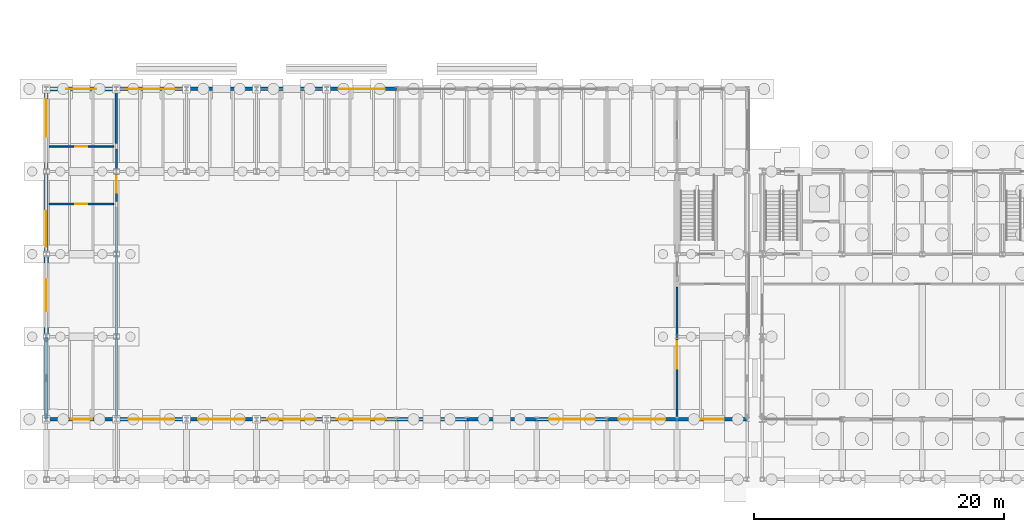
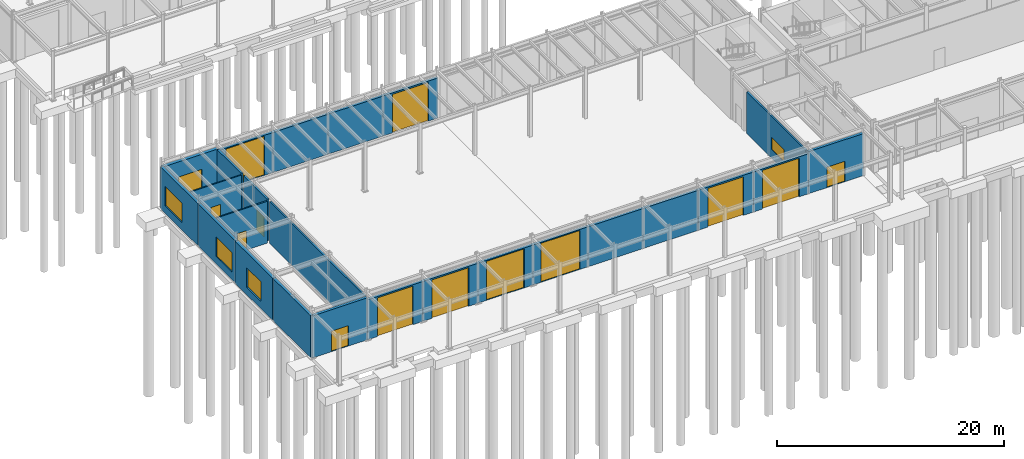
# One storey, part 66 of 82: 25 walls, 13 doors, 5 windows, 18 openings.
"""IFC4 building model written with IfcOpenShell, lengths in metres."""

from ifc_helpers import new_model, si_unit, direction, frame, frame_2d, origin, place, context, subcontext, project, spatial, rectangle, extrude, material, layer, layer_set, type_object, element, fill, save


model = new_model("IFC4")

# Units and contexts
model_context = context("Model", 3, precision=1e-05, world=origin(), true_north=direction((0.0, 1.0)))
body_context = subcontext(model_context, "Body", "Model", "MODEL_VIEW")
ifc_project = project(units=[si_unit("LENGTHUNIT", "METRE"), si_unit("AREAUNIT", "SQUARE_METRE"), si_unit("VOLUMEUNIT", "CUBIC_METRE"), si_unit("PLANEANGLEUNIT", "RADIAN"), si_unit("MASSUNIT", "GRAM", prefix="KILO")], contexts=[model_context])

# Site, building, storey
site_placement = place(None, origin())
site = spatial("IfcSite", under=ifc_project, at=site_placement, CompositionType="ELEMENT")
building_placement = place(site_placement, origin())
building = spatial("IfcBuilding", under=site, at=building_placement, Name="Trelmorton Wharf Fire Station", CompositionType="ELEMENT")
storey_placement = place(building_placement, origin())
storey = spatial("IfcBuildingStorey", under=building, at=storey_placement, Name="L00", CompositionType="ELEMENT", Elevation=0.0)

# Wall, opening, window
ifc_material_1 = material(Name="Precast concrete 45 MPa", Category="concrete")
ifc_layer_1 = layer(ifc_material_1, 0.25)
ifc_layer_set_1 = layer_set([ifc_layer_1], Name="Precast concrete 45 MPa")
wall_type_1 = type_object("IfcWallType", Name="EW_PREC_250", PredefinedType="SOLIDWALL", material=ifc_layer_set_1)
wall_1_placement = place(storey_placement, frame((0.800048828125, 21.0048828125, 0.0), z_axis=(0.0, 0.0, 1.0), x_axis=(0.0, 1.0, 0.0)))
wall_1 = element("IfcWall", 1, at=wall_1_placement, inside=storey, type_object=wall_type_1, Name="EW-V1-L00-0025", PredefinedType="SOLIDWALL", context=body_context, shape_type="SweptSolid", body=[
    extrude(rectangle(XDim=6.590087890625, YDim=0.25, at=frame_2d((3.294921875, 0.0))), origin(), (0.0, 0.0, 1.0), 4.52001953125),
])
opening_1_placement = place(wall_1_placement, frame((0.58740234375, 0.0, 0.800048828125)))
opening_1 = element("IfcOpeningElement", 2, at=opening_1_placement, cuts=wall_1, Name="Opening W04", PredefinedType="OPENING", context=body_context, shape_type="SweptSolid", body=[
    extrude(rectangle(XDim=2.85009765625, YDim=2.10009765625, at=frame_2d((1.425048828125, 1.050048828125))), frame((0.0, 0.135009765625, 0.0), z_axis=(0.0, -1.0, 0.0), x_axis=(1.0, 0.0, 0.0)), (0.0, 0.0, 1.0), 0.27001953125),
])
ifc_material_2 = material(Name="Tempered low-E double glazing", Category="glass")
window_type_1 = type_object("IfcWindowType", Name="WIN_W04", PartitioningType="TRIPLE_PANEL_VERTICAL", PredefinedType="WINDOW", material=ifc_material_2)
window_1_placement = place(opening_1_placement, origin())
window_1 = element("IfcWindow", 3, at=window_1_placement, inside=storey, type_object=window_type_1, Name="WN-V1-L00-0004", OverallHeight=2.10009765625, OverallWidth=2.85009765625, PartitioningType="TRIPLE_PANEL_VERTICAL", PredefinedType="WINDOW", context=body_context, shape_type="SweptSolid", body=[
    extrude(rectangle(XDim=2.85009765625, YDim=2.10009765625, at=frame_2d((1.425048828125, 1.050048828125))), frame((0.0, 0.030029296875, 0.0), z_axis=(0.0, -1.0, 0.0), x_axis=(1.0, 0.0, 0.0)), (0.0, 0.0, 1.0), 0.06005859375),
])
fill(opening_1, window_1)

# Wall, opening, door
ifc_layer_2 = layer(ifc_material_1, 0.27001953125)
ifc_layer_set_2 = layer_set([ifc_layer_2], Name="Precast concrete 45 MPa")
wall_type_2 = type_object("IfcWallType", Name="EW_PREC_270", PredefinedType="SOLIDWALL", material=ifc_layer_set_2)
wall_2_placement = place(storey_placement, frame((6.39501953125, 7.800048828125, 0.0), z_axis=(0.0, 0.0, 1.0), x_axis=(-1.0, 0.0, 0.0)))
wall_2 = element("IfcWall", 4, at=wall_2_placement, inside=storey, type_object=wall_type_2, Name="EW-V1-L00-0001", PredefinedType="SOLIDWALL", context=body_context, shape_type="SweptSolid", body=[
    extrude(rectangle(XDim=5.590087890625, YDim=0.27001953125, at=frame_2d((2.794921875, 0.0))), origin(), (0.0, 0.0, 1.0), 4.52001953125),
])
opening_2_placement = place(wall_2_placement, frame((1.93505859375, 0.0, 0.0)))
opening_2 = element("IfcOpeningElement", 5, at=opening_2_placement, cuts=wall_2, Name="Opening E-001", PredefinedType="OPENING", context=body_context, shape_type="SweptSolid", body=[
    extrude(rectangle(XDim=1.719970703125, YDim=2.199951171875, at=frame_2d((0.85986328125, 1.10009765625))), frame((0.0, 0.14501953125, 0.0), z_axis=(0.0, -1.0, 0.0), x_axis=(1.0, 0.0, 0.0)), (0.0, 0.0, 1.0), 0.2900390625),
])
ifc_material_3 = material(Name="Anodised aluminium AW-6063", Category="aluminium")
door_type_1 = type_object("IfcDoorType", Name="DR_EXT_DBL_172", OperationType="DOUBLE_DOOR_SINGLE_SWING", PredefinedType="DOOR", material=ifc_material_3)
door_1_placement = place(opening_2_placement, origin())
door_1 = element("IfcDoor", 6, at=door_1_placement, inside=storey, type_object=door_type_1, Name="Final Exit Door E-001", OperationType="DOUBLE_DOOR_SINGLE_SWING", OverallHeight=2.199951171875, OverallWidth=1.719970703125, PredefinedType="DOOR", context=body_context, shape_type="SweptSolid", body=[
    extrude(rectangle(XDim=1.719970703125, YDim=2.199951171875, at=frame_2d((0.85986328125, 1.10009765625))), frame((0.0, 0.02490234375, 0.0), z_axis=(0.0, -1.0, 0.0), x_axis=(1.0, 0.0, 0.0)), (0.0, 0.0, 1.0), 0.050048828125),
])
fill(opening_2, door_1)

wall_3_placement = place(storey_placement, frame((11.9951171875, 7.800048828125, 0.0), z_axis=(0.0, 0.0, 1.0), x_axis=(-1.0, 0.0, 0.0)))
wall_3 = element("IfcWall", 7, at=wall_3_placement, inside=storey, type_object=wall_type_2, Name="EW-V1-L00-0002", PredefinedType="SOLIDWALL", context=body_context, shape_type="SweptSolid", body=[
    extrude(rectangle(XDim=5.590087890625, YDim=0.27001953125, at=frame_2d((2.794921875, 0.0))), origin(), (0.0, 0.0, 1.0), 4.300048828125),
])
opening_3_placement = place(wall_3_placement, frame((0.969970703125, 0.0, 0.0)))
opening_3 = element("IfcOpeningElement", 8, at=opening_3_placement, cuts=wall_3, Name="Opening AD-01", PredefinedType="OPENING", context=body_context, shape_type="SweptSolid", body=[
    extrude(rectangle(XDim=3.64990234375, YDim=4.14990234375, at=frame_2d((1.824951171875, 2.074951171875))), frame((0.0, 0.14501953125, 0.0), z_axis=(0.0, -1.0, 0.0), x_axis=(1.0, 0.0, 0.0)), (0.0, 0.0, 1.0), 0.2900390625),
])
door_type_2 = type_object("IfcDoorType", Name="GT_BIFOLD_365", OperationType="FOLDING_TO_LEFT", PredefinedType="GATE", material=ifc_material_3)
door_2_placement = place(opening_3_placement, origin())
door_2 = element("IfcDoor", 9, at=door_2_placement, inside=storey, type_object=door_type_2, Name="Vehicle Gate AD-01", OperationType="FOLDING_TO_LEFT", OverallHeight=4.14990234375, OverallWidth=3.64990234375, PredefinedType="GATE", context=body_context, shape_type="SweptSolid", body=[
    extrude(rectangle(XDim=3.64990234375, YDim=4.14990234375, at=frame_2d((1.824951171875, 2.074951171875))), frame((0.0, 0.02490234375, 0.0), z_axis=(0.0, -1.0, 0.0), x_axis=(1.0, 0.0, 0.0)), (0.0, 0.0, 1.0), 0.050048828125),
])
fill(opening_3, door_2)

wall_4_placement = place(storey_placement, frame((17.594970703125, 7.800048828125, 0.0), z_axis=(0.0, 0.0, 1.0), x_axis=(-1.0, 0.0, 0.0)))
wall_4 = element("IfcWall", 10, at=wall_4_placement, inside=storey, type_object=wall_type_2, Name="EW-V1-L00-0003", PredefinedType="SOLIDWALL", context=body_context, shape_type="SweptSolid", body=[
    extrude(rectangle(XDim=5.590087890625, YDim=0.27001953125, at=frame_2d((2.794921875, 0.0))), origin(), (0.0, 0.0, 1.0), 4.300048828125),
])
opening_4_placement = place(wall_4_placement, frame((0.919921875, 0.0, 0.0)))
opening_4 = element("IfcOpeningElement", 11, at=opening_4_placement, cuts=wall_4, Name="Opening AD-02", PredefinedType="OPENING", context=body_context, shape_type="SweptSolid", body=[
    extrude(rectangle(XDim=3.75, YDim=4.14990234375, at=frame_2d((1.875, 2.074951171875))), frame((0.0, 0.14501953125, 0.0), z_axis=(0.0, -1.0, 0.0), x_axis=(1.0, 0.0, 0.0)), (0.0, 0.0, 1.0), 0.2900390625),
])
door_type_3 = type_object("IfcDoorType", Name="GT_BIFOLD_375", OperationType="FOLDING_TO_RIGHT", PredefinedType="GATE", material=ifc_material_3)
door_3_placement = place(opening_4_placement, origin())
door_3 = element("IfcDoor", 12, at=door_3_placement, inside=storey, type_object=door_type_3, Name="Vehicle Gate AD-02", OperationType="FOLDING_TO_RIGHT", OverallHeight=4.14990234375, OverallWidth=3.75, PredefinedType="GATE", context=body_context, shape_type="SweptSolid", body=[
    extrude(rectangle(XDim=3.75, YDim=4.14990234375, at=frame_2d((1.875, 2.074951171875))), frame((0.0, 0.02490234375, 0.0), z_axis=(0.0, -1.0, 0.0), x_axis=(1.0, 0.0, 0.0)), (0.0, 0.0, 1.0), 0.050048828125),
])
fill(opening_4, door_3)

wall_5_placement = place(storey_placement, frame((23.195068359375, 7.800048828125, 0.0), z_axis=(0.0, 0.0, 1.0), x_axis=(-1.0, 0.0, 0.0)))
wall_5 = element("IfcWall", 13, at=wall_5_placement, inside=storey, type_object=wall_type_2, Name="EW-V1-L00-0004", PredefinedType="SOLIDWALL", context=body_context, shape_type="SweptSolid", body=[
    extrude(rectangle(XDim=5.590087890625, YDim=0.27001953125, at=frame_2d((2.794921875, 0.0))), origin(), (0.0, 0.0, 1.0), 4.300048828125),
])
opening_5_placement = place(wall_5_placement, frame((0.8701171875, 0.0, 0.0)))
opening_5 = element("IfcOpeningElement", 14, at=opening_5_placement, cuts=wall_5, Name="Opening AD-03", PredefinedType="OPENING", context=body_context, shape_type="SweptSolid", body=[
    extrude(rectangle(XDim=3.85009765625, YDim=4.199951171875, at=frame_2d((1.925048828125, 2.10009765625))), frame((0.0, 0.14501953125, 0.0), z_axis=(0.0, -1.0, 0.0), x_axis=(1.0, 0.0, 0.0)), (0.0, 0.0, 1.0), 0.2900390625),
])
door_type_4 = type_object("IfcDoorType", Name="GT_BIFOLD_385", OperationType="FOLDING_TO_LEFT", PredefinedType="GATE", material=ifc_material_3)
door_4_placement = place(opening_5_placement, origin())
door_4 = element("IfcDoor", 15, at=door_4_placement, inside=storey, type_object=door_type_4, Name="Vehicle Gate AD-03", OperationType="FOLDING_TO_LEFT", OverallHeight=4.199951171875, OverallWidth=3.85009765625, PredefinedType="GATE", context=body_context, shape_type="SweptSolid", body=[
    extrude(rectangle(XDim=3.85009765625, YDim=4.199951171875, at=frame_2d((1.925048828125, 2.10009765625))), frame((0.0, 0.02490234375, 0.0), z_axis=(0.0, -1.0, 0.0), x_axis=(1.0, 0.0, 0.0)), (0.0, 0.0, 1.0), 0.050048828125),
])
fill(opening_5, door_4)

wall_6_placement = place(storey_placement, frame((28.794921875, 7.800048828125, 0.0), z_axis=(0.0, 0.0, 1.0), x_axis=(-1.0, 0.0, 0.0)))
wall_6 = element("IfcWall", 16, at=wall_6_placement, inside=storey, type_object=wall_type_2, Name="EW-V1-L00-0005", PredefinedType="SOLIDWALL", context=body_context, shape_type="SweptSolid", body=[
    extrude(rectangle(XDim=5.58984375, YDim=0.27001953125, at=frame_2d((2.794921875, 0.0))), origin(), (0.0, 0.0, 1.0), 4.300048828125),
])
opening_6_placement = place(wall_6_placement, frame((0.820068359375, 0.0, 0.0)))
opening_6 = element("IfcOpeningElement", 17, at=opening_6_placement, cuts=wall_6, Name="Opening AD-04", PredefinedType="OPENING", context=body_context, shape_type="SweptSolid", body=[
    extrude(rectangle(XDim=3.949951171875, YDim=4.199951171875, at=frame_2d((1.97509765625, 2.10009765625))), frame((0.0, 0.14501953125, 0.0), z_axis=(0.0, -1.0, 0.0), x_axis=(1.0, 0.0, 0.0)), (0.0, 0.0, 1.0), 0.2900390625),
])
door_type_5 = type_object("IfcDoorType", Name="GT_BIFOLD_395", OperationType="FOLDING_TO_RIGHT", PredefinedType="GATE", material=ifc_material_3)
door_5_placement = place(opening_6_placement, origin())
door_5 = element("IfcDoor", 18, at=door_5_placement, inside=storey, type_object=door_type_5, Name="Vehicle Gate AD-04", OperationType="FOLDING_TO_RIGHT", OverallHeight=4.199951171875, OverallWidth=3.949951171875, PredefinedType="GATE", context=body_context, shape_type="SweptSolid", body=[
    extrude(rectangle(XDim=3.949951171875, YDim=4.199951171875, at=frame_2d((1.97509765625, 2.10009765625))), frame((0.0, 0.02490234375, 0.0), z_axis=(0.0, -1.0, 0.0), x_axis=(1.0, 0.0, 0.0)), (0.0, 0.0, 1.0), 0.050048828125),
])
fill(opening_6, door_5)

# Walls
for number, where, z_axis, x_axis, name in (
    (19, (34.39501953125, 7.800048828125, 0.0), (0.0, 0.0, 1.0), (-1.0, 0.0, 0.0), "EW-V1-L00-0006"),
    (20, (39.9951171875, 7.800048828125, 0.0), (0.0, 0.0, 1.0), (-1.0, 0.0, 0.0), "EW-V1-L00-0007"),
):
    element("IfcWall", number, at=place(storey_placement, frame(where, z_axis=z_axis, x_axis=x_axis)), inside=storey, type_object=wall_type_2, Name=name, PredefinedType="SOLIDWALL", context=body_context, shape_type="SweptSolid", body=[
        extrude(rectangle(XDim=5.590087890625, YDim=0.27001953125, at=frame_2d((2.794921875, 0.0))), origin(), (0.0, 0.0, 1.0), 4.300048828125),
    ])

# Wall, opening, door
wall_7_placement = place(storey_placement, frame((45.594970703125, 7.800048828125, 0.0), z_axis=(0.0, 0.0, 1.0), x_axis=(-1.0, 0.0, 0.0)))
wall_7 = element("IfcWall", 21, at=wall_7_placement, inside=storey, type_object=wall_type_2, Name="EW-V1-L00-0008", PredefinedType="SOLIDWALL", context=body_context, shape_type="SweptSolid", body=[
    extrude(rectangle(XDim=5.590087890625, YDim=0.27001953125, at=frame_2d((2.794921875, 0.0))), origin(), (0.0, 0.0, 1.0), 4.300048828125),
])
opening_7_placement = place(wall_7_placement, frame((0.969970703125, 0.0, 0.0)))
opening_7 = element("IfcOpeningElement", 22, at=opening_7_placement, cuts=wall_7, Name="Opening AD-07", PredefinedType="OPENING", context=body_context, shape_type="SweptSolid", body=[
    extrude(rectangle(XDim=3.64990234375, YDim=4.14990234375, at=frame_2d((1.824951171875, 2.074951171875))), frame((0.0, 0.14501953125, 0.0), z_axis=(0.0, -1.0, 0.0), x_axis=(1.0, 0.0, 0.0)), (0.0, 0.0, 1.0), 0.2900390625),
])
door_6_placement = place(opening_7_placement, origin())
door_6 = element("IfcDoor", 23, at=door_6_placement, inside=storey, type_object=door_type_2, Name="Vehicle Gate AD-07", OperationType="FOLDING_TO_LEFT", OverallHeight=4.14990234375, OverallWidth=3.64990234375, PredefinedType="GATE", context=body_context, shape_type="SweptSolid", body=[
    extrude(rectangle(XDim=3.64990234375, YDim=4.14990234375, at=frame_2d((1.824951171875, 2.074951171875))), frame((0.0, 0.02490234375, 0.0), z_axis=(0.0, -1.0, 0.0), x_axis=(1.0, 0.0, 0.0)), (0.0, 0.0, 1.0), 0.050048828125),
])
fill(opening_7, door_6)

wall_8_placement = place(storey_placement, frame((51.195068359375, 7.800048828125, 0.0), z_axis=(0.0, 0.0, 1.0), x_axis=(-1.0, 0.0, 0.0)))
wall_8 = element("IfcWall", 24, at=wall_8_placement, inside=storey, type_object=wall_type_2, Name="EW-V1-L00-0009", PredefinedType="SOLIDWALL", context=body_context, shape_type="SweptSolid", body=[
    extrude(rectangle(XDim=5.590087890625, YDim=0.27001953125, at=frame_2d((2.794921875, 0.0))), origin(), (0.0, 0.0, 1.0), 4.300048828125),
])
opening_8_placement = place(wall_8_placement, frame((0.919921875, 0.0, 0.0)))
opening_8 = element("IfcOpeningElement", 25, at=opening_8_placement, cuts=wall_8, Name="Opening AD-08", PredefinedType="OPENING", context=body_context, shape_type="SweptSolid", body=[
    extrude(rectangle(XDim=3.75, YDim=4.14990234375, at=frame_2d((1.875, 2.074951171875))), frame((0.0, 0.14501953125, 0.0), z_axis=(0.0, -1.0, 0.0), x_axis=(1.0, 0.0, 0.0)), (0.0, 0.0, 1.0), 0.2900390625),
])
door_7_placement = place(opening_8_placement, origin())
door_7 = element("IfcDoor", 26, at=door_7_placement, inside=storey, type_object=door_type_3, Name="Vehicle Gate AD-08", OperationType="FOLDING_TO_RIGHT", OverallHeight=4.14990234375, OverallWidth=3.75, PredefinedType="GATE", context=body_context, shape_type="SweptSolid", body=[
    extrude(rectangle(XDim=3.75, YDim=4.14990234375, at=frame_2d((1.875, 2.074951171875))), frame((0.0, 0.02490234375, 0.0), z_axis=(0.0, -1.0, 0.0), x_axis=(1.0, 0.0, 0.0)), (0.0, 0.0, 1.0), 0.050048828125),
])
fill(opening_8, door_7)

wall_9_placement = place(storey_placement, frame((56.794921875, 7.800048828125, 0.0), z_axis=(0.0, 0.0, 1.0), x_axis=(-1.0, 0.0, 0.0)))
wall_9 = element("IfcWall", 27, at=wall_9_placement, inside=storey, type_object=wall_type_2, Name="EW-V1-L00-0010", PredefinedType="SOLIDWALL", context=body_context, shape_type="SweptSolid", body=[
    extrude(rectangle(XDim=5.58984375, YDim=0.27001953125, at=frame_2d((2.794921875, 0.0))), origin(), (0.0, 0.0, 1.0), 4.52001953125),
])
opening_9_placement = place(wall_9_placement, frame((1.885009765625, 0.0, 0.0)))
opening_9 = element("IfcOpeningElement", 28, at=opening_9_placement, cuts=wall_9, Name="Opening E-002", PredefinedType="OPENING", context=body_context, shape_type="SweptSolid", body=[
    extrude(rectangle(XDim=1.820068359375, YDim=2.199951171875, at=frame_2d((0.91015625, 1.10009765625))), frame((0.0, 0.14501953125, 0.0), z_axis=(0.0, -1.0, 0.0), x_axis=(1.0, 0.0, 0.0)), (0.0, 0.0, 1.0), 0.2900390625),
])
door_type_6 = type_object("IfcDoorType", Name="DR_EXT_DBL_182", OperationType="DOUBLE_DOOR_SINGLE_SWING", PredefinedType="DOOR", material=ifc_material_3)
door_8_placement = place(opening_9_placement, origin())
door_8 = element("IfcDoor", 29, at=door_8_placement, inside=storey, type_object=door_type_6, Name="Final Exit Door E-002", OperationType="DOUBLE_DOOR_SINGLE_SWING", OverallHeight=2.199951171875, OverallWidth=1.820068359375, PredefinedType="DOOR", context=body_context, shape_type="SweptSolid", body=[
    extrude(rectangle(XDim=1.820068359375, YDim=2.199951171875, at=frame_2d((0.91015625, 1.10009765625))), frame((0.0, 0.02490234375, 0.0), z_axis=(0.0, -1.0, 0.0), x_axis=(1.0, 0.0, 0.0)), (0.0, 0.0, 1.0), 0.050048828125),
])
fill(opening_9, door_8)

wall_10_placement = place(storey_placement, frame((6.405029296875, 34.199951171875, 0.0), z_axis=(0.0, 0.0, 1.0), x_axis=(1.0, 0.0, 0.0)))
wall_10 = element("IfcWall", 30, at=wall_10_placement, inside=storey, type_object=wall_type_2, Name="EW-V1-L00-0012", PredefinedType="SOLIDWALL", context=body_context, shape_type="SweptSolid", body=[
    extrude(rectangle(XDim=5.590087890625, YDim=0.27001953125, at=frame_2d((2.794921875, 0.0))), origin(), (0.0, 0.0, 1.0), 4.300048828125),
])
opening_10_placement = place(wall_10_placement, frame((0.820068359375, 0.0, 0.0)))
opening_10 = element("IfcOpeningElement", 31, at=opening_10_placement, cuts=wall_10, Name="Opening AD-09", PredefinedType="OPENING", context=body_context, shape_type="SweptSolid", body=[
    extrude(rectangle(XDim=3.949951171875, YDim=4.199951171875, at=frame_2d((1.97509765625, 2.10009765625))), frame((0.0, 0.14501953125, 0.0), z_axis=(0.0, -1.0, 0.0), x_axis=(1.0, 0.0, 0.0)), (0.0, 0.0, 1.0), 0.2900390625),
])
door_9_placement = place(opening_10_placement, origin())
door_9 = element("IfcDoor", 32, at=door_9_placement, inside=storey, type_object=door_type_5, Name="Vehicle Gate AD-09", OperationType="FOLDING_TO_RIGHT", OverallHeight=4.199951171875, OverallWidth=3.949951171875, PredefinedType="GATE", context=body_context, shape_type="SweptSolid", body=[
    extrude(rectangle(XDim=3.949951171875, YDim=4.199951171875, at=frame_2d((1.97509765625, 2.10009765625))), frame((0.0, 0.02490234375, 0.0), z_axis=(0.0, -1.0, 0.0), x_axis=(1.0, 0.0, 0.0)), (0.0, 0.0, 1.0), 0.050048828125),
])
fill(opening_10, door_9)

# Walls
for number, where, z_axis, x_axis, name in (
    (33, (12.0048828125, 34.199951171875, 0.0), (0.0, 0.0, 1.0), (1.0, 0.0, 0.0), "EW-V1-L00-0013"),
    (34, (17.60498046875, 34.199951171875, 0.0), (0.0, 0.0, 1.0), (1.0, 0.0, 0.0), "EW-V1-L00-0014"),
):
    element("IfcWall", number, at=place(storey_placement, frame(where, z_axis=z_axis, x_axis=x_axis)), inside=storey, type_object=wall_type_2, Name=name, PredefinedType="SOLIDWALL", context=body_context, shape_type="SweptSolid", body=[
        extrude(rectangle(XDim=5.590087890625, YDim=0.27001953125, at=frame_2d((2.794921875, 0.0))), origin(), (0.0, 0.0, 1.0), 4.300048828125),
    ])

# Wall, opening, door
wall_11_placement = place(storey_placement, frame((23.205078125, 34.199951171875, 0.0), z_axis=(0.0, 0.0, 1.0), x_axis=(1.0, 0.0, 0.0)))
wall_11 = element("IfcWall", 35, at=wall_11_placement, inside=storey, type_object=wall_type_2, Name="EW-V1-L00-0015", PredefinedType="SOLIDWALL", context=body_context, shape_type="SweptSolid", body=[
    extrude(rectangle(XDim=5.58984375, YDim=0.27001953125, at=frame_2d((2.794921875, 0.0))), origin(), (0.0, 0.0, 1.0), 4.300048828125),
])
opening_11_placement = place(wall_11_placement, frame((0.969970703125, 0.0, 0.0)))
opening_11 = element("IfcOpeningElement", 36, at=opening_11_placement, cuts=wall_11, Name="Opening AD-12", PredefinedType="OPENING", context=body_context, shape_type="SweptSolid", body=[
    extrude(rectangle(XDim=3.64990234375, YDim=4.14990234375, at=frame_2d((1.824951171875, 2.074951171875))), frame((0.0, 0.14501953125, 0.0), z_axis=(0.0, -1.0, 0.0), x_axis=(1.0, 0.0, 0.0)), (0.0, 0.0, 1.0), 0.2900390625),
])
door_10_placement = place(opening_11_placement, origin())
door_10 = element("IfcDoor", 37, at=door_10_placement, inside=storey, type_object=door_type_2, Name="Vehicle Gate AD-12", OperationType="FOLDING_TO_LEFT", OverallHeight=4.14990234375, OverallWidth=3.64990234375, PredefinedType="GATE", context=body_context, shape_type="SweptSolid", body=[
    extrude(rectangle(XDim=3.64990234375, YDim=4.14990234375, at=frame_2d((1.824951171875, 2.074951171875))), frame((0.0, 0.02490234375, 0.0), z_axis=(0.0, -1.0, 0.0), x_axis=(1.0, 0.0, 0.0)), (0.0, 0.0, 1.0), 0.050048828125),
])
fill(opening_11, door_10)

# Wall, opening, window
wall_12_placement = place(storey_placement, frame((0.800048828125, 27.60498046875, 0.0), z_axis=(0.0, 0.0, 1.0), x_axis=(0.0, 1.0, 0.0)))
wall_12 = element("IfcWall", 38, at=wall_12_placement, inside=storey, type_object=wall_type_2, Name="EW-V1-L00-0026", PredefinedType="SOLIDWALL", context=body_context, shape_type="SweptSolid", body=[
    extrude(rectangle(XDim=6.590087890625, YDim=0.27001953125, at=frame_2d((3.294921875, 0.0))), origin(), (0.0, 0.0, 1.0), 4.52001953125),
])
opening_12_placement = place(wall_12_placement, frame((2.777587890625, 0.0, 0.800048828125)))
opening_12 = element("IfcOpeningElement", 39, at=opening_12_placement, cuts=wall_12, Name="Opening W05", PredefinedType="OPENING", context=body_context, shape_type="SweptSolid", body=[
    extrude(rectangle(XDim=3.0, YDim=2.10009765625, at=frame_2d((1.5, 1.050048828125))), frame((0.0, 0.14501953125, 0.0), z_axis=(0.0, -1.0, 0.0), x_axis=(1.0, 0.0, 0.0)), (0.0, 0.0, 1.0), 0.2900390625),
])
window_type_2 = type_object("IfcWindowType", Name="WIN_W05", PartitioningType="TRIPLE_PANEL_VERTICAL", PredefinedType="WINDOW", material=ifc_material_2)
window_2_placement = place(opening_12_placement, origin())
window_2 = element("IfcWindow", 40, at=window_2_placement, inside=storey, type_object=window_type_2, Name="WN-V1-L00-0005", OverallHeight=2.10009765625, OverallWidth=3.0, PartitioningType="TRIPLE_PANEL_VERTICAL", PredefinedType="WINDOW", context=body_context, shape_type="SweptSolid", body=[
    extrude(rectangle(XDim=3.0, YDim=2.10009765625, at=frame_2d((1.5, 1.050048828125))), frame((0.0, 0.030029296875, 0.0), z_axis=(0.0, -1.0, 0.0), x_axis=(1.0, 0.0, 0.0)), (0.0, 0.0, 1.0), 0.06005859375),
])
fill(opening_12, window_2)

# Wall
ifc_layer_3 = layer(ifc_material_1, 0.2900390625)
ifc_layer_set_3 = layer_set([ifc_layer_3], Name="Precast concrete 45 MPa")
wall_type_3 = type_object("IfcWallType", Name="EW_TERR_290", PredefinedType="SOLIDWALL", material=ifc_layer_set_3)
wall_13_placement = place(storey_placement, frame((0.800048828125, 7.804931640625, 0.0), z_axis=(0.0, 0.0, 1.0), x_axis=(0.0, 1.0, 0.0)))
element("IfcWall", 41, at=wall_13_placement, inside=storey, type_object=wall_type_3, Name="EW-V1-L00-0021", PredefinedType="SOLIDWALL", context=body_context, shape_type="SweptSolid", body=[
    extrude(rectangle(XDim=6.590087890625, YDim=0.2900390625, at=frame_2d((3.294921875, 0.0))), origin(), (0.0, 0.0, 1.0), 4.52001953125),
])

# Wall, opening, window
ifc_layer_4 = layer(ifc_material_1, 0.330078125)
ifc_layer_set_4 = layer_set([ifc_layer_4], Name="Precast concrete 45 MPa")
wall_type_4 = type_object("IfcWallType", Name="EW_TERR_330", PredefinedType="SOLIDWALL", material=ifc_layer_set_4)
wall_14_placement = place(storey_placement, frame((0.804931640625, 34.199951171875, 0.0), z_axis=(0.0, 0.0, 1.0), x_axis=(1.0, 0.0, 0.0)))
wall_14 = element("IfcWall", 42, at=wall_14_placement, inside=storey, type_object=wall_type_4, Name="EW-V1-L00-0011", PredefinedType="SOLIDWALL", context=body_context, shape_type="SweptSolid", body=[
    extrude(rectangle(XDim=5.590087890625, YDim=0.330078125, at=frame_2d((2.794921875, 0.0))), origin(), (0.0, 0.0, 1.0), 4.52001953125),
])
opening_13_placement = place(wall_14_placement, frame((1.594970703125, 0.0, 0.800048828125)))
opening_13 = element("IfcOpeningElement", 43, at=opening_13_placement, cuts=wall_14, Name="Opening W01", PredefinedType="OPENING", context=body_context, shape_type="SweptSolid", body=[
    extrude(rectangle(XDim=2.39990234375, YDim=2.10009765625, at=frame_2d((1.199951171875, 1.050048828125))), frame((0.0, 0.175048828125, 0.0), z_axis=(0.0, -1.0, 0.0), x_axis=(1.0, 0.0, 0.0)), (0.0, 0.0, 1.0), 0.35009765625),
])
window_type_3 = type_object("IfcWindowType", Name="WIN_W01", PartitioningType="TRIPLE_PANEL_VERTICAL", PredefinedType="WINDOW", material=ifc_material_2)
window_3_placement = place(opening_13_placement, origin())
window_3 = element("IfcWindow", 44, at=window_3_placement, inside=storey, type_object=window_type_3, Name="WN-V1-L00-0001", OverallHeight=2.10009765625, OverallWidth=2.39990234375, PartitioningType="TRIPLE_PANEL_VERTICAL", PredefinedType="WINDOW", context=body_context, shape_type="SweptSolid", body=[
    extrude(rectangle(XDim=2.39990234375, YDim=2.10009765625, at=frame_2d((1.199951171875, 1.050048828125))), frame((0.0, 0.030029296875, 0.0), z_axis=(0.0, -1.0, 0.0), x_axis=(1.0, 0.0, 0.0)), (0.0, 0.0, 1.0), 0.06005859375),
])
fill(opening_13, window_3)

wall_15_placement = place(storey_placement, frame((0.800048828125, 14.405029296875, 0.0), z_axis=(0.0, 0.0, 1.0), x_axis=(0.0, 1.0, 0.0)))
wall_15 = element("IfcWall", 45, at=wall_15_placement, inside=storey, type_object=wall_type_4, Name="EW-V1-L00-0023", PredefinedType="SOLIDWALL", context=body_context, shape_type="SweptSolid", body=[
    extrude(rectangle(XDim=6.590087890625, YDim=0.330078125, at=frame_2d((3.294921875, 0.0))), origin(), (0.0, 0.0, 1.0), 4.52001953125),
])
opening_14_placement = place(wall_15_placement, frame((2.02001953125, 0.0, 0.800048828125)))
opening_14 = element("IfcOpeningElement", 46, at=opening_14_placement, cuts=wall_15, Name="Opening W02", PredefinedType="OPENING", context=body_context, shape_type="SweptSolid", body=[
    extrude(rectangle(XDim=2.550048828125, YDim=2.10009765625, at=frame_2d((1.27490234375, 1.050048828125))), frame((0.0, 0.175048828125, 0.0), z_axis=(0.0, -1.0, 0.0), x_axis=(1.0, 0.0, 0.0)), (0.0, 0.0, 1.0), 0.35009765625),
])
window_type_4 = type_object("IfcWindowType", Name="WIN_W02", PartitioningType="TRIPLE_PANEL_VERTICAL", PredefinedType="WINDOW", material=ifc_material_2)
window_4_placement = place(opening_14_placement, origin())
window_4 = element("IfcWindow", 47, at=window_4_placement, inside=storey, type_object=window_type_4, Name="WN-V1-L00-0002", OverallHeight=2.10009765625, OverallWidth=2.550048828125, PartitioningType="TRIPLE_PANEL_VERTICAL", PredefinedType="WINDOW", context=body_context, shape_type="SweptSolid", body=[
    extrude(rectangle(XDim=2.550048828125, YDim=2.10009765625, at=frame_2d((1.27490234375, 1.050048828125))), frame((0.0, 0.030029296875, 0.0), z_axis=(0.0, -1.0, 0.0), x_axis=(1.0, 0.0, 0.0)), (0.0, 0.0, 1.0), 0.06005859375),
])
fill(opening_14, window_4)

# Wall
ifc_layer_5 = layer(ifc_material_1, 0.169921875)
ifc_layer_set_5 = layer_set([ifc_layer_5], Name="Precast concrete 45 MPa")
wall_type_5 = type_object("IfcWallType", Name="IW_FIRE_170", PredefinedType="PARTITIONING", material=ifc_layer_set_5)
wall_16_placement = place(storey_placement, frame((6.39990234375, 8.02001953125, 0.0), z_axis=(0.0, 0.0, 1.0), x_axis=(0.0, 1.0, 0.0)))
element("IfcWall", 48, at=wall_16_placement, inside=storey, type_object=wall_type_5, Name="IW-L00-0004", PredefinedType="PARTITIONING", context=body_context, shape_type="SweptSolid", body=[
    extrude(rectangle(XDim=16.760009765625, YDim=0.169921875, at=frame_2d((8.3798828125, 0.0))), origin(), (0.0, 0.0, 1.0), 4.5),
])

# Wall, opening, door
wall_17_placement = place(storey_placement, frame((6.39990234375, 25.219970703125, 0.0), z_axis=(0.0, 0.0, 1.0), x_axis=(0.0, 1.0, 0.0)))
wall_17 = element("IfcWall", 49, at=wall_17_placement, inside=storey, type_object=wall_type_5, Name="IW-L00-0006", PredefinedType="PARTITIONING", context=body_context, shape_type="SweptSolid", body=[
    extrude(rectangle(XDim=4.159912109375, YDim=0.169921875, at=frame_2d((2.080078125, 0.0))), origin(), (0.0, 0.0, 1.0), 4.5),
])
opening_15_placement = place(wall_17_placement, frame((0.669921875, 0.0, 0.0)))
opening_15 = element("IfcOpeningElement", 50, at=opening_15_placement, cuts=wall_17, Name="Opening D-005", PredefinedType="OPENING", context=body_context, shape_type="SweptSolid", body=[
    extrude(rectangle(XDim=1.320068359375, YDim=2.1201171875, at=frame_2d((0.66015625, 1.06005859375))), frame((0.0, 0.094970703125, 0.0), z_axis=(0.0, -1.0, 0.0), x_axis=(1.0, 0.0, 0.0)), (0.0, 0.0, 1.0), 0.18994140625),
])
ifc_material_4 = material(Name="Stainless steel 316 marine grade", Category="steel")
door_type_7 = type_object("IfcDoorType", Name="DR_FIRE_132", OperationType="NOTDEFINED", PredefinedType="DOOR", material=ifc_material_4)
door_11_placement = place(opening_15_placement, origin())
door_11 = element("IfcDoor", 51, at=door_11_placement, inside=storey, type_object=door_type_7, Name="Interior Door D-005", OperationType="SINGLE_SWING_LEFT", OverallHeight=2.1201171875, OverallWidth=1.320068359375, PredefinedType="DOOR", context=body_context, shape_type="SweptSolid", body=[
    extrude(rectangle(XDim=1.320068359375, YDim=2.1201171875, at=frame_2d((0.66015625, 1.06005859375))), frame((0.0, 0.02490234375, 0.0), z_axis=(0.0, -1.0, 0.0), x_axis=(1.0, 0.0, 0.0)), (0.0, 0.0, 1.0), 0.050048828125),
])
fill(opening_15, door_11)

# Wall, opening, window
wall_18_placement = place(storey_placement, frame((51.199951171875, 8.02001953125, 0.0), z_axis=(0.0, 0.0, 1.0), x_axis=(0.0, 1.0, 0.0)))
wall_18 = element("IfcWall", 52, at=wall_18_placement, inside=storey, type_object=wall_type_5, Name="IW-L00-0008", PredefinedType="PARTITIONING", context=body_context, shape_type="SweptSolid", body=[
    extrude(rectangle(XDim=10.35986328125, YDim=0.169921875, at=frame_2d((5.179931640625, 0.0))), origin(), (0.0, 0.0, 1.0), 4.5),
])
opening_16_placement = place(wall_18_placement, frame((3.830078125, 0.0, 0.949951171875)))
opening_16 = element("IfcOpeningElement", 53, at=opening_16_placement, cuts=wall_18, Name="Opening IW-OB1", PredefinedType="OPENING", context=body_context, shape_type="SweptSolid", body=[
    extrude(rectangle(XDim=2.199951171875, YDim=1.300048828125, at=frame_2d((1.10009765625, 0.64990234375))), frame((0.0, 0.094970703125, 0.0), z_axis=(0.0, -1.0, 0.0), x_axis=(1.0, 0.0, 0.0)), (0.0, 0.0, 1.0), 0.18994140625),
])
window_type_5 = type_object("IfcWindowType", Name="WIN_INT_220", PartitioningType="DOUBLE_PANEL_VERTICAL", PredefinedType="WINDOW", material=ifc_material_2)
window_5_placement = place(opening_16_placement, origin())
window_5 = element("IfcWindow", 54, at=window_5_placement, inside=storey, type_object=window_type_5, Name="WN-INT-0008", OverallHeight=1.300048828125, OverallWidth=2.199951171875, PartitioningType="DOUBLE_PANEL_VERTICAL", PredefinedType="WINDOW", context=body_context, shape_type="SweptSolid", body=[
    extrude(rectangle(XDim=2.199951171875, YDim=1.300048828125, at=frame_2d((1.10009765625, 0.64990234375))), frame((0.0, 0.030029296875, 0.0), z_axis=(0.0, -1.0, 0.0), x_axis=(1.0, 0.0, 0.0)), (0.0, 0.0, 1.0), 0.06005859375),
])
fill(opening_16, window_5)

# Wall
ifc_layer_6 = layer(ifc_material_1, 0.199951171875)
ifc_layer_set_6 = layer_set([ifc_layer_6], Name="Precast concrete 45 MPa")
wall_type_6 = type_object("IfcWallType", Name="IW_FIRE_200", PredefinedType="PARTITIONING", material=ifc_layer_set_6)
wall_19_placement = place(storey_placement, frame((6.39990234375, 29.820068359375, 0.0), z_axis=(0.0, 0.0, 1.0), x_axis=(0.0, 1.0, 0.0)))
element("IfcWall", 55, at=wall_19_placement, inside=storey, type_object=wall_type_6, Name="IW-L00-0007", PredefinedType="PARTITIONING", context=body_context, shape_type="SweptSolid", body=[
    extrude(rectangle(XDim=4.159912109375, YDim=0.199951171875, at=frame_2d((2.080078125, 0.0))), origin(), (0.0, 0.0, 1.0), 4.5),
])

# Wall, opening, door
ifc_material_5 = material(Name="Gypsum plasterboard partition")
ifc_layer_7 = layer(ifc_material_5, 0.139892578125)
ifc_layer_set_7 = layer_set([ifc_layer_7], Name="Gypsum plasterboard partition")
wall_type_7 = type_object("IfcWallType", Name="IW_PART_140", PredefinedType="PARTITIONING", material=ifc_layer_set_7)
wall_20_placement = place(storey_placement, frame((1.02001953125, 25.0, 0.0), z_axis=(0.0, 0.0, 1.0), x_axis=(1.0, 0.0, 0.0)))
wall_20 = element("IfcWall", 56, at=wall_20_placement, inside=storey, type_object=wall_type_7, Name="IW-L00-0003", PredefinedType="PARTITIONING", context=body_context, shape_type="SweptSolid", body=[
    extrude(rectangle(XDim=5.159912109375, YDim=0.139892578125, at=frame_2d((2.580078125, 0.0))), origin(), (0.0, 0.0, 1.0), 4.5),
])
opening_17_placement = place(wall_20_placement, frame((2.110107421875, 0.0, 0.0)))
opening_17 = element("IfcOpeningElement", 57, at=opening_17_placement, cuts=wall_20, Name="Opening D-003", PredefinedType="OPENING", context=body_context, shape_type="SweptSolid", body=[
    extrude(rectangle(XDim=0.93994140625, YDim=2.080078125, at=frame_2d((0.469970703125, 1.0400390625))), frame((0.0, 0.080078125, 0.0), z_axis=(0.0, -1.0, 0.0), x_axis=(1.0, 0.0, 0.0)), (0.0, 0.0, 1.0), 0.159912109375),
])
ifc_material_6 = material(Name="Acoustic timber panelling", Category="wood")
door_type_8 = type_object("IfcDoorType", Name="DR_INT_094", OperationType="NOTDEFINED", PredefinedType="DOOR", material=ifc_material_6)
door_12_placement = place(opening_17_placement, origin())
door_12 = element("IfcDoor", 58, at=door_12_placement, inside=storey, type_object=door_type_8, Name="Interior Door D-003", OperationType="SINGLE_SWING_LEFT", OverallHeight=2.080078125, OverallWidth=0.93994140625, PredefinedType="DOOR", context=body_context, shape_type="SweptSolid", body=[
    extrude(rectangle(XDim=0.93994140625, YDim=2.080078125, at=frame_2d((0.469970703125, 1.0400390625))), frame((0.0, 0.02490234375, 0.0), z_axis=(0.0, -1.0, 0.0), x_axis=(1.0, 0.0, 0.0)), (0.0, 0.0, 1.0), 0.050048828125),
])
fill(opening_17, door_12)

ifc_layer_8 = layer(ifc_material_5, 0.1201171875)
ifc_layer_set_8 = layer_set([ifc_layer_8], Name="Gypsum plasterboard partition")
wall_type_8 = type_object("IfcWallType", Name="IW_WET_120", PredefinedType="PARTITIONING", material=ifc_layer_set_8)
wall_21_placement = place(storey_placement, frame((1.02001953125, 29.60009765625, 0.0), z_axis=(0.0, 0.0, 1.0), x_axis=(1.0, 0.0, 0.0)))
wall_21 = element("IfcWall", 59, at=wall_21_placement, inside=storey, type_object=wall_type_8, Name="IW-L00-0005", PredefinedType="PARTITIONING", context=body_context, shape_type="SweptSolid", body=[
    extrude(rectangle(XDim=5.159912109375, YDim=0.1201171875, at=frame_2d((2.580078125, 0.0))), origin(), (0.0, 0.0, 1.0), 4.5),
])
opening_18_placement = place(wall_21_placement, frame((2.094970703125, 0.0, 0.0)))
opening_18 = element("IfcOpeningElement", 60, at=opening_18_placement, cuts=wall_21, Name="Opening D-004", PredefinedType="OPENING", context=body_context, shape_type="SweptSolid", body=[
    extrude(rectangle(XDim=0.969970703125, YDim=2.10009765625, at=frame_2d((0.48486328125, 1.050048828125))), frame((0.0, 0.070068359375, 0.0), z_axis=(0.0, -1.0, 0.0), x_axis=(1.0, 0.0, 0.0)), (0.0, 0.0, 1.0), 0.14013671875),
])
door_type_9 = type_object("IfcDoorType", Name="DR_INT_097", OperationType="NOTDEFINED", PredefinedType="DOOR", material=ifc_material_6)
door_13_placement = place(opening_18_placement, origin())
door_13 = element("IfcDoor", 61, at=door_13_placement, inside=storey, type_object=door_type_9, Name="Interior Door D-004", OperationType="SINGLE_SWING_RIGHT", OverallHeight=2.10009765625, OverallWidth=0.969970703125, PredefinedType="DOOR", context=body_context, shape_type="SweptSolid", body=[
    extrude(rectangle(XDim=0.969970703125, YDim=2.10009765625, at=frame_2d((0.48486328125, 1.050048828125))), frame((0.0, 0.02490234375, 0.0), z_axis=(0.0, -1.0, 0.0), x_axis=(1.0, 0.0, 0.0)), (0.0, 0.0, 1.0), 0.050048828125),
])
fill(opening_18, door_13)

save(model, "model.ifc")
